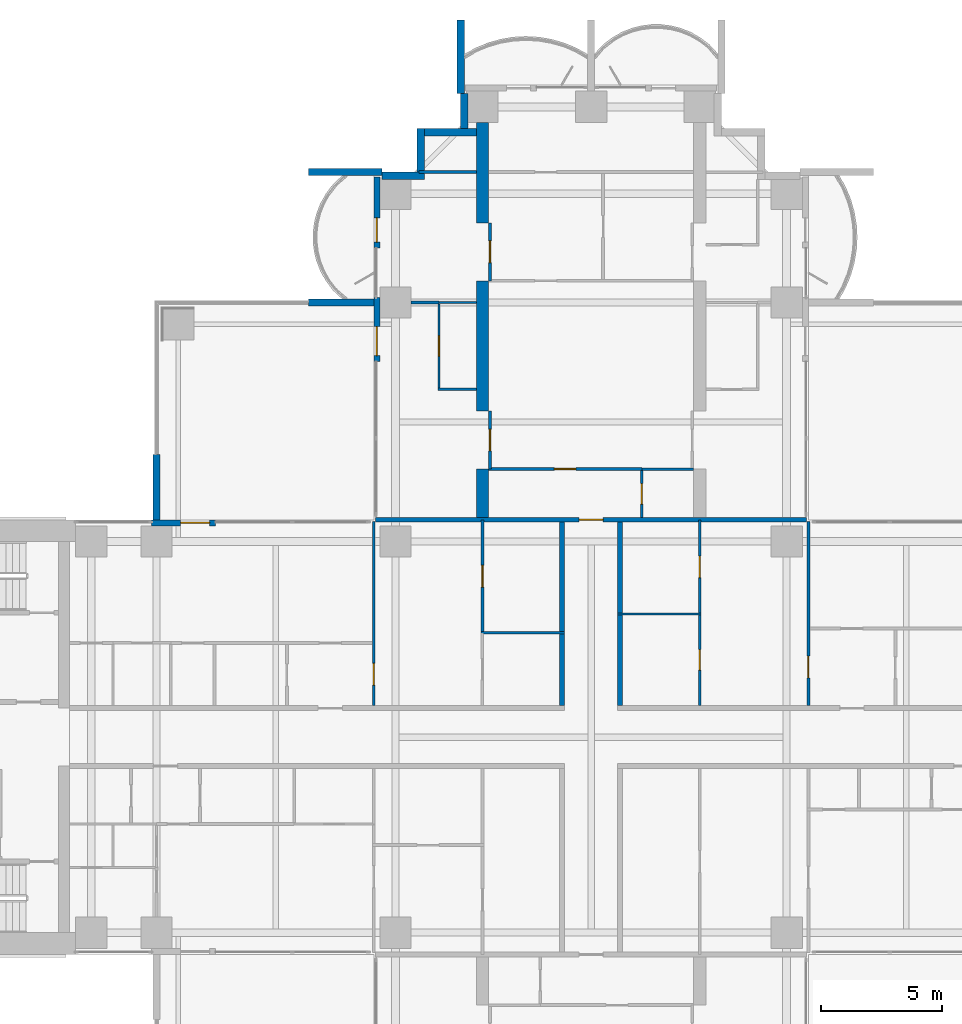
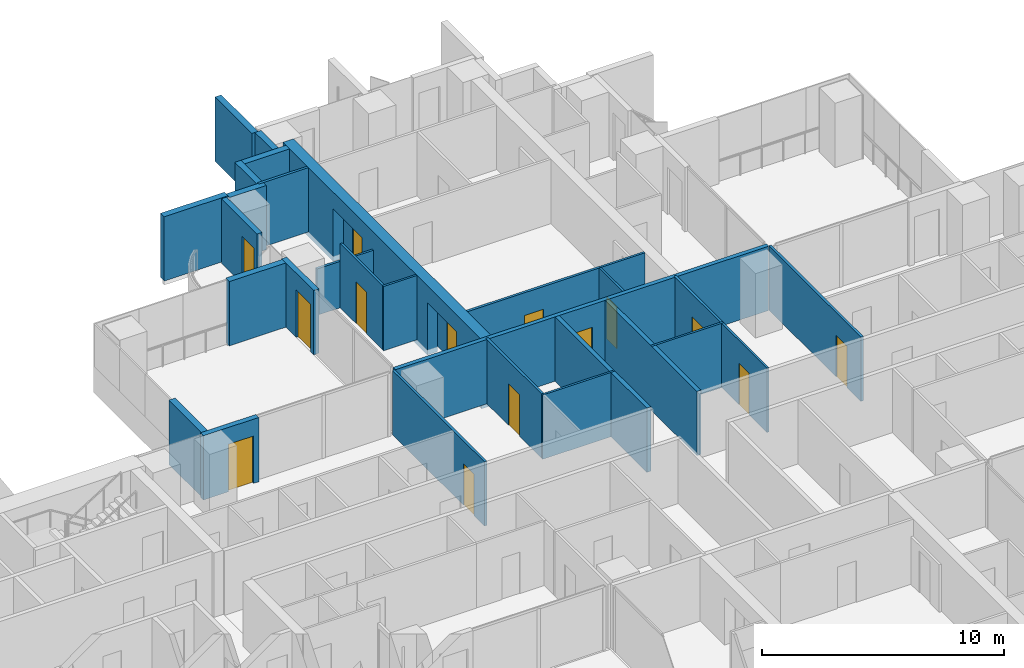
# One storey, part 15 of 23: 32 walls, 14 doors, 14 openings.
"""IFC4 building model written with IfcOpenShell, lengths in metres."""

from ifc_helpers import new_model, si_unit, direction, frame, frame_2d, origin, place, context, subcontext, project, spatial, polyline, rectangle, outline, extrude, material, layer, layer_set, material_profile, profile_set, type_object, element, fill, save


model = new_model("IFC4")

# Units and contexts
model_context = context("Model", 3, precision=1e-05, world=origin(), true_north=direction((0.0, 1.0)))
body_context = subcontext(model_context, "Body", "Model", "MODEL_VIEW")
ifc_project = project(units=[si_unit("LENGTHUNIT", "METRE"), si_unit("AREAUNIT", "SQUARE_METRE"), si_unit("VOLUMEUNIT", "CUBIC_METRE"), si_unit("PLANEANGLEUNIT", "RADIAN"), si_unit("MASSUNIT", "GRAM", prefix="KILO")], contexts=[model_context])

# Site, building, storey
site_placement = place(None, origin())
site = spatial("IfcSite", under=ifc_project, at=site_placement, CompositionType="ELEMENT")
building_placement = place(site_placement, origin())
building = spatial("IfcBuilding", under=site, at=building_placement, Name="Perihelion Cross Residences", CompositionType="ELEMENT")
storey_placement = place(building_placement, frame((0.0, 0.0, 61.0)))
storey = spatial("IfcBuildingStorey", under=building, at=storey_placement, Name="L12", CompositionType="ELEMENT", Elevation=61.0)

# Walls
ifc_material_1 = material(Name="Plasterboard partition")
ifc_layer_1 = layer(ifc_material_1, 0.199951171875)
ifc_layer_set_1 = layer_set([ifc_layer_1], Name="Apartment separation wall 200")
wall_type_1 = type_object("IfcWallType", Name="Apartment separation wall 200", PredefinedType="PARTITIONING", material=ifc_layer_set_1)
for number, where, z_axis, x_axis, name in (
    (1, (1.199951171875, 8.89990234375, 0.0), (0.0, 0.0, 1.0), (0.0, -1.0, 0.0), "Partition L12 W002"),
    (2, (-1.199951171875, 1.300048828125, 0.0), (0.0, 0.0, 1.0), (0.0, 1.0, 0.0), "Partition L12 W006"),
):
    element("IfcWall", number, at=place(storey_placement, frame(where, z_axis=z_axis, x_axis=x_axis)), inside=storey, type_object=wall_type_1, Name=name, PredefinedType="PARTITIONING", context=body_context, shape_type="SweptSolid", body=[
        extrude(rectangle(XDim=7.599853515625, YDim=0.199951171875, at=frame_2d((3.7998046875, 0.0))), origin(), (0.0, 0.0, 1.0), 3.25),
    ])

# Wall, opening, door
wall_1_placement = place(storey_placement, frame((-8.919921875, 9.0, 0.0), z_axis=(0.0, 0.0, 1.0), x_axis=(1.0, 0.0, 0.0)))
wall_1 = element("IfcWall", 3, at=wall_1_placement, inside=storey, type_object=wall_type_1, Name="Partition L12 W009", PredefinedType="PARTITIONING", context=body_context, shape_type="SweptSolid", body=[
    extrude(rectangle(XDim=17.83984375, YDim=0.199951171875, at=frame_2d((8.919921875, 0.0))), origin(), (0.0, 0.0, 1.0), 3.25),
])
opening_1_placement = place(wall_1_placement, frame((8.419921875, 0.0, 0.0)))
opening_1 = element("IfcOpeningElement", 4, at=opening_1_placement, cuts=wall_1, Name="Opening L12.A36", PredefinedType="OPENING", context=body_context, shape_type="SweptSolid", body=[
    extrude(rectangle(XDim=1.0, YDim=2.10009765625, at=frame_2d((0.5, 1.050048828125))), frame((0.0, 0.10986328125, 0.0), z_axis=(0.0, -1.0, 0.0), x_axis=(1.0, 0.0, 0.0)), (0.0, 0.0, 1.0), 0.219970703125),
])
ifc_material_2 = material(Name="Timber door leaf", Category="wood")
door_type_1 = type_object("IfcDoorType", Name="Flat entrance door 1000 x 2100", OperationType="SINGLE_SWING_LEFT", PredefinedType="DOOR", material=ifc_material_2)
door_1_placement = place(opening_1_placement, origin())
door_1 = element("IfcDoor", 5, at=door_1_placement, inside=storey, type_object=door_type_1, Name="Door L12.A36", OperationType="SINGLE_SWING_RIGHT", OverallHeight=2.10009765625, OverallWidth=1.0, PredefinedType="DOOR", context=body_context, shape_type="SweptSolid", body=[
    extrude(rectangle(XDim=1.0, YDim=2.10009765625, at=frame_2d((0.5, 1.050048828125))), frame((0.0, 0.02490234375, 0.0), z_axis=(0.0, -1.0, 0.0), x_axis=(1.0, 0.0, 0.0)), (0.0, 0.0, 1.0), 0.050048828125),
])
fill(opening_1, door_1)

ifc_material_3 = material(Name="Concrete C30/37, bronze-clad", Category="concrete")
ifc_layer_2 = layer(ifc_material_3, 0.25)
ifc_layer_set_2 = layer_set([ifc_layer_2], Name="Bronze-clad pier wall 250")
wall_type_2 = type_object("IfcWallType", Name="Bronze-clad pier wall 250", PredefinedType="SOLIDWALL", material=ifc_layer_set_2)
wall_2_placement = place(storey_placement, frame((-8.875, 23.199951171875, 0.0), z_axis=(0.0, 0.0, 1.0), x_axis=(0.0, -1.0, 0.0)))
wall_2 = element("IfcWall", 6, at=wall_2_placement, inside=storey, type_object=wall_type_2, Name="Wall FW1 L12 north side west bay 1 pier", PredefinedType="SOLIDWALL", context=body_context, shape_type="SweptSolid", body=[
    extrude(rectangle(XDim=2.949951171875, YDim=0.25, at=frame_2d((1.47509765625, 0.0))), origin(), (0.0, 0.0, 1.0), 3.25),
])
opening_2_placement = place(wall_2_placement, frame((1.699951171875, 0.0, 0.0)))
opening_2 = element("IfcOpeningElement", 7, at=opening_2_placement, cuts=wall_2, Name="Opening L12.E06", PredefinedType="OPENING", context=body_context, shape_type="SweptSolid", body=[
    extrude(rectangle(XDim=1.0, YDim=2.39990234375, at=frame_2d((0.5, 1.199951171875))), frame((0.0, 0.135009765625, 0.0), z_axis=(0.0, -1.0, 0.0), x_axis=(1.0, 0.0, 0.0)), (0.0, 0.0, 1.0), 0.27001953125),
])
ifc_material_4 = material(Name="Bronze anodised aluminium, glazed", Category="aluminium")
door_type_2 = type_object("IfcDoorType", Name="Balcony door 1000 x 2400", OperationType="NOTDEFINED", PredefinedType="DOOR", material=ifc_material_4)
door_2_placement = place(opening_2_placement, origin())
door_2 = element("IfcDoor", 8, at=door_2_placement, inside=storey, type_object=door_type_2, Name="Door L12.E06 north side west bay 1", OperationType="SINGLE_SWING_LEFT", OverallHeight=2.39990234375, OverallWidth=1.0, PredefinedType="DOOR", context=body_context, shape_type="SweptSolid", body=[
    extrude(rectangle(XDim=1.0, YDim=2.39990234375, at=frame_2d((0.5, 1.199951171875))), frame((0.0, 0.02490234375, 0.0), z_axis=(0.0, -1.0, 0.0), x_axis=(1.0, 0.0, 0.0)), (0.0, 0.0, 1.0), 0.050048828125),
])
fill(opening_2, door_2)

wall_3_placement = place(storey_placement, frame((-8.875, 18.199951171875, 0.0), z_axis=(0.0, 0.0, 1.0), x_axis=(0.0, -1.0, 0.0)))
wall_3 = element("IfcWall", 9, at=wall_3_placement, inside=storey, type_object=wall_type_2, Name="Wall FW1 L12 north side west bay 2 pier", PredefinedType="SOLIDWALL", context=body_context, shape_type="SweptSolid", body=[
    extrude(rectangle(XDim=2.64990234375, YDim=0.25, at=frame_2d((1.324951171875, 0.0))), origin(), (0.0, 0.0, 1.0), 3.25),
])
opening_3_placement = place(wall_3_placement, frame((1.199951171875, 0.0, 0.0)))
opening_3 = element("IfcOpeningElement", 10, at=opening_3_placement, cuts=wall_3, Name="Opening L12.E07", PredefinedType="OPENING", context=body_context, shape_type="SweptSolid", body=[
    extrude(rectangle(XDim=1.199951171875, YDim=2.39990234375, at=frame_2d((0.60009765625, 1.199951171875))), frame((0.0, 0.135009765625, 0.0), z_axis=(0.0, -1.0, 0.0), x_axis=(1.0, 0.0, 0.0)), (0.0, 0.0, 1.0), 0.27001953125),
])
ifc_material_5 = material(Name="Bronze anodised aluminium, glazed", Category="aluminium")
door_type_3 = type_object("IfcDoorType", Name="Balcony door 1200 x 2400", OperationType="NOTDEFINED", PredefinedType="DOOR", material=ifc_material_5)
door_3_placement = place(opening_3_placement, origin())
door_3 = element("IfcDoor", 11, at=door_3_placement, inside=storey, type_object=door_type_3, Name="Door L12.E07 north side west bay 2", OperationType="SINGLE_SWING_RIGHT", OverallHeight=2.39990234375, OverallWidth=1.199951171875, PredefinedType="DOOR", context=body_context, shape_type="SweptSolid", body=[
    extrude(rectangle(XDim=1.199951171875, YDim=2.39990234375, at=frame_2d((0.60009765625, 1.199951171875))), frame((0.0, 0.02490234375, 0.0), z_axis=(0.0, -1.0, 0.0), x_axis=(1.0, 0.0, 0.0)), (0.0, 0.0, 1.0), 0.050048828125),
])
fill(opening_3, door_3)

wall_4_placement = place(storey_placement, frame((-15.550048828125, 8.875, 0.0), z_axis=(0.0, 0.0, 1.0), x_axis=(-1.0, 0.0, 0.0)))
wall_4 = element("IfcWall", 12, at=wall_4_placement, inside=storey, type_object=wall_type_2, Name="Wall FW1 L12 west side north bay 1 pier", PredefinedType="SOLIDWALL", context=body_context, shape_type="SweptSolid", body=[
    extrude(rectangle(XDim=2.64990234375, YDim=0.25, at=frame_2d((1.324951171875, 0.0))), origin(), (0.0, 0.0, 1.0), 3.25),
])
opening_4_placement = place(wall_4_placement, frame((0.25, 0.0, 0.0)))
opening_4 = element("IfcOpeningElement", 13, at=opening_4_placement, cuts=wall_4, Name="Opening L12.E08", PredefinedType="OPENING", context=body_context, shape_type="SweptSolid", body=[
    extrude(rectangle(XDim=1.199951171875, YDim=2.39990234375, at=frame_2d((0.60009765625, 1.199951171875))), frame((0.0, 0.135009765625, 0.0), z_axis=(0.0, -1.0, 0.0), x_axis=(1.0, 0.0, 0.0)), (0.0, 0.0, 1.0), 0.27001953125),
])
door_4_placement = place(opening_4_placement, origin())
door_4 = element("IfcDoor", 14, at=door_4_placement, inside=storey, type_object=door_type_3, Name="Door L12.E08 west side north bay 1", OperationType="SINGLE_SWING_LEFT", OverallHeight=2.39990234375, OverallWidth=1.199951171875, PredefinedType="DOOR", context=body_context, shape_type="SweptSolid", body=[
    extrude(rectangle(XDim=1.199951171875, YDim=2.39990234375, at=frame_2d((0.60009765625, 1.199951171875))), frame((0.0, 0.02490234375, 0.0), z_axis=(0.0, -1.0, 0.0), x_axis=(1.0, 0.0, 0.0)), (0.0, 0.0, 1.0), 0.050048828125),
])
fill(opening_4, door_4)

# Walls
ifc_material_6 = material(Name="Concrete C30/37, bronze-clad", Category="concrete")
ifc_layer_3 = layer(ifc_material_6, 0.300048828125)
ifc_layer_set_3 = layer_set([ifc_layer_3], Name="Bronze-clad serration wall 300")
wall_type_3 = type_object("IfcWallType", Name="Bronze-clad serration wall 300", PredefinedType="SOLIDWALL", material=ifc_layer_set_3)
wall_5_placement = place(storey_placement, frame((-5.25, 26.64990234375, 0.0), z_axis=(0.0, 0.0, 1.0), x_axis=(0.0, -1.0, 0.0)))
element("IfcWall", 15, at=wall_5_placement, inside=storey, type_object=wall_type_3, Name="Wall SR1 L12 north corner north-west 1", PredefinedType="SOLIDWALL", context=body_context, shape_type="SweptSolid", body=[
    extrude(rectangle(XDim=1.449951171875, YDim=0.300048828125, at=frame_2d((0.72509765625, 0.0))), origin(), (0.0, 0.0, 1.0), 3.25),
])
wall_6_placement = place(storey_placement, frame((-4.75, 25.050048828125, 0.0), z_axis=(0.0, 0.0, 1.0), x_axis=(-1.0, 0.0, 0.0)))
element("IfcWall", 16, at=wall_6_placement, inside=storey, type_object=wall_type_3, Name="Wall SR1 L12 north corner north-west 2", PredefinedType="SOLIDWALL", context=body_context, shape_type="SweptSolid", body=[
    extrude(rectangle(XDim=2.14990234375, YDim=0.300048828125, at=frame_2d((1.074951171875, 0.0))), origin(), (0.0, 0.0, 1.0), 3.25),
])
wall_7_placement = place(storey_placement, frame((-7.050048828125, 25.199951171875, 0.0), z_axis=(0.0, 0.0, 1.0), x_axis=(0.0, -1.0, 0.0)))
element("IfcWall", 17, at=wall_7_placement, inside=storey, type_object=wall_type_3, Name="Wall SR1 L12 north corner north-west 3", PredefinedType="SOLIDWALL", context=body_context, shape_type="SweptSolid", body=[
    extrude(rectangle(XDim=1.800048828125, YDim=0.300048828125, at=frame_2d((0.89990234375, 0.0))), origin(), (0.0, 0.0, 1.0), 3.25),
])
wall_8_placement = place(storey_placement, frame((-6.89990234375, 23.25, 0.0), z_axis=(0.0, 0.0, 1.0), x_axis=(-1.0, 0.0, 0.0)))
element("IfcWall", 18, at=wall_8_placement, inside=storey, type_object=wall_type_3, Name="Wall SR1 L12 north corner north-west 4", PredefinedType="SOLIDWALL", context=body_context, shape_type="SweptSolid", body=[
    extrude(rectangle(XDim=1.75, YDim=0.300048828125, at=frame_2d((0.875, 0.0))), origin(), (0.0, 0.0, 1.0), 3.25),
])

# Wall, opening, door
ifc_material_7 = material(Name="Plasterboard partition")
ifc_layer_4 = layer(ifc_material_7, 0.1201171875)
ifc_layer_set_4 = layer_set([ifc_layer_4], Name="Infill panel 120")
wall_type_4 = type_object("IfcWallType", Name="Infill panel 120", PredefinedType="PARTITIONING", material=ifc_layer_set_4)
wall_9_placement = place(storey_placement, frame((-4.18994140625, 11.10009765625, 0.0), z_axis=(0.0, 0.0, 1.0), x_axis=(0.0, 1.0, 0.0)))
wall_9 = element("IfcWall", 19, at=wall_9_placement, inside=storey, type_object=wall_type_4, Name="Partition L12 WI03", PredefinedType="PARTITIONING", context=body_context, shape_type="SweptSolid", body=[
    extrude(rectangle(XDim=2.39990234375, YDim=0.1201171875, at=frame_2d((1.199951171875, 0.0))), origin(), (0.0, 0.0, 1.0), 2.39990234375),
])
opening_5_placement = place(wall_9_placement, frame((0.75, 0.0, 0.0)))
opening_5 = element("IfcOpeningElement", 20, at=opening_5_placement, cuts=wall_9, Name="Opening L12.A59", PredefinedType="OPENING", context=body_context, shape_type="SweptSolid", body=[
    extrude(rectangle(XDim=0.89990234375, YDim=2.10009765625, at=frame_2d((0.449951171875, 1.050048828125))), frame((0.0, 0.070068359375, 0.0), z_axis=(0.0, -1.0, 0.0), x_axis=(1.0, 0.0, 0.0)), (0.0, 0.0, 1.0), 0.14013671875),
])
ifc_material_8 = material(Name="Timber door leaf", Category="wood")
door_type_4 = type_object("IfcDoorType", Name="Interior room door 900 x 2100", OperationType="SINGLE_SWING_LEFT", PredefinedType="DOOR", material=ifc_material_8)
door_5_placement = place(opening_5_placement, origin())
door_5 = element("IfcDoor", 21, at=door_5_placement, inside=storey, type_object=door_type_4, Name="Door L12.A59", OperationType="SINGLE_SWING_RIGHT", OverallHeight=2.10009765625, OverallWidth=0.89990234375, PredefinedType="DOOR", context=body_context, shape_type="SweptSolid", body=[
    extrude(rectangle(XDim=0.89990234375, YDim=2.10009765625, at=frame_2d((0.449951171875, 1.050048828125))), frame((0.0, 0.02490234375, 0.0), z_axis=(0.0, -1.0, 0.0), x_axis=(1.0, 0.0, 0.0)), (0.0, 0.0, 1.0), 0.050048828125),
])
fill(opening_5, door_5)

wall_10_placement = place(storey_placement, frame((-4.18994140625, 18.89990234375, 0.0), z_axis=(0.0, 0.0, 1.0), x_axis=(0.0, 1.0, 0.0)))
wall_10 = element("IfcWall", 22, at=wall_10_placement, inside=storey, type_object=wall_type_4, Name="Partition L12 WI04", PredefinedType="PARTITIONING", context=body_context, shape_type="SweptSolid", body=[
    extrude(rectangle(XDim=2.400146484375, YDim=0.1201171875, at=frame_2d((1.2001953125, 0.0))), origin(), (0.0, 0.0, 1.0), 2.39990234375),
])
opening_6_placement = place(wall_10_placement, frame((0.75, 0.0, 0.0)))
opening_6 = element("IfcOpeningElement", 23, at=opening_6_placement, cuts=wall_10, Name="Opening L12.A60", PredefinedType="OPENING", context=body_context, shape_type="SweptSolid", body=[
    extrude(rectangle(XDim=0.89990234375, YDim=2.10009765625, at=frame_2d((0.449951171875, 1.050048828125))), frame((0.0, 0.070068359375, 0.0), z_axis=(0.0, -1.0, 0.0), x_axis=(1.0, 0.0, 0.0)), (0.0, 0.0, 1.0), 0.14013671875),
])
door_6_placement = place(opening_6_placement, origin())
door_6 = element("IfcDoor", 24, at=door_6_placement, inside=storey, type_object=door_type_4, Name="Door L12.A60", OperationType="SINGLE_SWING_LEFT", OverallHeight=2.10009765625, OverallWidth=0.89990234375, PredefinedType="DOOR", context=body_context, shape_type="SweptSolid", body=[
    extrude(rectangle(XDim=0.89990234375, YDim=2.10009765625, at=frame_2d((0.449951171875, 1.050048828125))), frame((0.0, 0.02490234375, 0.0), z_axis=(0.0, -1.0, 0.0), x_axis=(1.0, 0.0, 0.0)), (0.0, 0.0, 1.0), 0.050048828125),
])
fill(opening_6, door_6)

ifc_material_9 = material(Name="Plasterboard partition")
ifc_layer_5 = layer(ifc_material_9, 0.1201171875)
ifc_layer_set_5 = layer_set([ifc_layer_5], Name="Partition wall 120")
wall_type_5 = type_object("IfcWallType", Name="Partition wall 120", PredefinedType="PARTITIONING", material=ifc_layer_set_5)
wall_11_placement = place(storey_placement, frame((9.0, 1.300048828125, 0.0), z_axis=(0.0, 0.0, 1.0), x_axis=(0.0, 1.0, 0.0)))
wall_11 = element("IfcWall", 25, at=wall_11_placement, inside=storey, type_object=wall_type_5, Name="Partition L12 W013", PredefinedType="PARTITIONING", context=body_context, shape_type="SweptSolid", body=[
    extrude(rectangle(XDim=7.619873046875, YDim=0.1201171875, at=frame_2d((3.81005859375, 0.0))), origin(), (0.0, 0.0, 1.0), 3.25),
])
opening_7_placement = place(wall_11_placement, frame((1.14990234375, 0.0, 0.0)))
opening_7 = element("IfcOpeningElement", 26, at=opening_7_placement, cuts=wall_11, Name="Opening L12.A04", PredefinedType="OPENING", context=body_context, shape_type="SweptSolid", body=[
    extrude(rectangle(XDim=0.89990234375, YDim=2.10009765625, at=frame_2d((0.449951171875, 1.050048828125))), frame((0.0, 0.070068359375, 0.0), z_axis=(0.0, -1.0, 0.0), x_axis=(1.0, 0.0, 0.0)), (0.0, 0.0, 1.0), 0.14013671875),
])
door_7_placement = place(opening_7_placement, origin())
door_7 = element("IfcDoor", 27, at=door_7_placement, inside=storey, type_object=door_type_4, Name="Door L12.A04", OperationType="SINGLE_SWING_RIGHT", OverallHeight=2.10009765625, OverallWidth=0.89990234375, PredefinedType="DOOR", context=body_context, shape_type="SweptSolid", body=[
    extrude(rectangle(XDim=0.89990234375, YDim=2.10009765625, at=frame_2d((0.449951171875, 1.050048828125))), frame((0.0, 0.02490234375, 0.0), z_axis=(0.0, -1.0, 0.0), x_axis=(1.0, 0.0, 0.0)), (0.0, 0.0, 1.0), 0.050048828125),
])
fill(opening_7, door_7)

wall_12_placement = place(storey_placement, frame((4.5, 5.10009765625, 0.0), z_axis=(0.0, 0.0, 1.0), x_axis=(0.0, 1.0, 0.0)))
wall_12 = element("IfcWall", 28, at=wall_12_placement, inside=storey, type_object=wall_type_5, Name="Partition L12 W020", PredefinedType="PARTITIONING", context=body_context, shape_type="SweptSolid", body=[
    extrude(rectangle(XDim=3.89990234375, YDim=0.1201171875, at=frame_2d((1.949951171875, 0.0))), origin(), (0.0, 0.0, 1.0), 3.25),
])
opening_8_placement = place(wall_12_placement, frame((1.5, 0.0, 0.0)))
opening_8 = element("IfcOpeningElement", 29, at=opening_8_placement, cuts=wall_12, Name="Opening L12.A07", PredefinedType="OPENING", context=body_context, shape_type="SweptSolid", body=[
    extrude(rectangle(XDim=0.89990234375, YDim=2.10009765625, at=frame_2d((0.449951171875, 1.050048828125))), frame((0.0, 0.070068359375, 0.0), z_axis=(0.0, -1.0, 0.0), x_axis=(1.0, 0.0, 0.0)), (0.0, 0.0, 1.0), 0.14013671875),
])
door_8_placement = place(opening_8_placement, origin())
door_8 = element("IfcDoor", 30, at=door_8_placement, inside=storey, type_object=door_type_4, Name="Door L12.A07", OperationType="SINGLE_SWING_RIGHT", OverallHeight=2.10009765625, OverallWidth=0.89990234375, PredefinedType="DOOR", context=body_context, shape_type="SweptSolid", body=[
    extrude(rectangle(XDim=0.89990234375, YDim=2.10009765625, at=frame_2d((0.449951171875, 1.050048828125))), frame((0.0, 0.02490234375, 0.0), z_axis=(0.0, -1.0, 0.0), x_axis=(1.0, 0.0, 0.0)), (0.0, 0.0, 1.0), 0.050048828125),
])
fill(opening_8, door_8)

wall_13_placement = place(storey_placement, frame((-9.0, 8.919921875, 0.0), z_axis=(0.0, 0.0, 1.0), x_axis=(0.0, -1.0, 0.0)))
wall_13 = element("IfcWall", 31, at=wall_13_placement, inside=storey, type_object=wall_type_5, Name="Partition L12 W037", PredefinedType="PARTITIONING", context=body_context, shape_type="SweptSolid", body=[
    extrude(rectangle(XDim=7.619873046875, YDim=0.1201171875, at=frame_2d((3.81005859375, 0.0))), origin(), (0.0, 0.0, 1.0), 3.25),
])
opening_9_placement = place(wall_13_placement, frame((5.8701171875, 0.0, 0.0)))
opening_9 = element("IfcOpeningElement", 32, at=opening_9_placement, cuts=wall_13, Name="Opening L12.A22", PredefinedType="OPENING", context=body_context, shape_type="SweptSolid", body=[
    extrude(rectangle(XDim=0.89990234375, YDim=2.10009765625, at=frame_2d((0.449951171875, 1.050048828125))), frame((0.0, 0.070068359375, 0.0), z_axis=(0.0, -1.0, 0.0), x_axis=(1.0, 0.0, 0.0)), (0.0, 0.0, 1.0), 0.14013671875),
])
door_9_placement = place(opening_9_placement, origin())
door_9 = element("IfcDoor", 33, at=door_9_placement, inside=storey, type_object=door_type_4, Name="Door L12.A22", OperationType="SINGLE_SWING_RIGHT", OverallHeight=2.10009765625, OverallWidth=0.89990234375, PredefinedType="DOOR", context=body_context, shape_type="SweptSolid", body=[
    extrude(rectangle(XDim=0.89990234375, YDim=2.10009765625, at=frame_2d((0.449951171875, 1.050048828125))), frame((0.0, 0.02490234375, 0.0), z_axis=(0.0, -1.0, 0.0), x_axis=(1.0, 0.0, 0.0)), (0.0, 0.0, 1.0), 0.050048828125),
])
fill(opening_9, door_9)

wall_14_placement = place(storey_placement, frame((-4.5, 9.0, 0.0), z_axis=(0.0, 0.0, 1.0), x_axis=(0.0, -1.0, 0.0)))
wall_14 = element("IfcWall", 34, at=wall_14_placement, inside=storey, type_object=wall_type_5, Name="Partition L12 W044", PredefinedType="PARTITIONING", context=body_context, shape_type="SweptSolid", body=[
    extrude(rectangle(XDim=4.679931640625, YDim=0.1201171875, at=frame_2d((2.33984375, 0.0))), origin(), (0.0, 0.0, 1.0), 3.25),
])
opening_10_placement = place(wall_14_placement, frame((1.889892578125, 0.0, 0.0)))
opening_10 = element("IfcOpeningElement", 35, at=opening_10_placement, cuts=wall_14, Name="Opening L12.A23", PredefinedType="OPENING", context=body_context, shape_type="SweptSolid", body=[
    extrude(rectangle(XDim=0.89990234375, YDim=2.10009765625, at=frame_2d((0.449951171875, 1.050048828125))), frame((0.0, 0.070068359375, 0.0), z_axis=(0.0, -1.0, 0.0), x_axis=(1.0, 0.0, 0.0)), (0.0, 0.0, 1.0), 0.14013671875),
])
door_10_placement = place(opening_10_placement, origin())
door_10 = element("IfcDoor", 36, at=door_10_placement, inside=storey, type_object=door_type_4, Name="Door L12.A23", OperationType="SINGLE_SWING_RIGHT", OverallHeight=2.10009765625, OverallWidth=0.89990234375, PredefinedType="DOOR", context=body_context, shape_type="SweptSolid", body=[
    extrude(rectangle(XDim=0.89990234375, YDim=2.10009765625, at=frame_2d((0.449951171875, 1.050048828125))), frame((0.0, 0.02490234375, 0.0), z_axis=(0.0, -1.0, 0.0), x_axis=(1.0, 0.0, 0.0)), (0.0, 0.0, 1.0), 0.050048828125),
])
fill(opening_10, door_10)

wall_15_placement = place(storey_placement, frame((-4.25, 11.10009765625, 0.0), z_axis=(0.0, 0.0, 1.0), x_axis=(1.0, 0.0, 0.0)))
wall_15 = element("IfcWall", 37, at=wall_15_placement, inside=storey, type_object=wall_type_5, Name="Partition L12 W061", PredefinedType="PARTITIONING", context=body_context, shape_type="SweptSolid", body=[
    extrude(rectangle(XDim=6.35009765625, YDim=0.1201171875, at=frame_2d((3.175048828125, 0.0))), origin(), (0.0, 0.0, 1.0), 3.25),
])
opening_11_placement = place(wall_15_placement, frame((2.72509765625, 0.0, 0.0)))
opening_11 = element("IfcOpeningElement", 38, at=opening_11_placement, cuts=wall_15, Name="Opening L12.A38", PredefinedType="OPENING", context=body_context, shape_type="SweptSolid", body=[
    extrude(rectangle(XDim=0.89990234375, YDim=2.10009765625, at=frame_2d((0.449951171875, 1.050048828125))), frame((0.0, 0.070068359375, 0.0), z_axis=(0.0, -1.0, 0.0), x_axis=(1.0, 0.0, 0.0)), (0.0, 0.0, 1.0), 0.14013671875),
])
door_11_placement = place(opening_11_placement, origin())
door_11 = element("IfcDoor", 39, at=door_11_placement, inside=storey, type_object=door_type_4, Name="Door L12.A38", OperationType="SINGLE_SWING_LEFT", OverallHeight=2.10009765625, OverallWidth=0.89990234375, PredefinedType="DOOR", context=body_context, shape_type="SweptSolid", body=[
    extrude(rectangle(XDim=0.89990234375, YDim=2.10009765625, at=frame_2d((0.449951171875, 1.050048828125))), frame((0.0, 0.02490234375, 0.0), z_axis=(0.0, -1.0, 0.0), x_axis=(1.0, 0.0, 0.0)), (0.0, 0.0, 1.0), 0.050048828125),
])
fill(opening_11, door_11)

# Walls
wall_16_placement = place(storey_placement, frame((-7.449951171875, 18.0, 0.0), z_axis=(0.0, 0.0, 1.0), x_axis=(1.0, 0.0, 0.0)))
element("IfcWall", 40, at=wall_16_placement, inside=storey, type_object=wall_type_5, Name="Partition L12 W075", PredefinedType="PARTITIONING", context=body_context, shape_type="SweptSolid", body=[
    extrude(rectangle(XDim=1.14990234375, YDim=0.1201171875, at=frame_2d((0.574951171875, 0.0))), origin(), (0.0, 0.0, 1.0), 2.345947265625),
])
wall_17_placement = place(storey_placement, frame((-7.1201171875, 23.39990234375, 0.0), z_axis=(0.0, 0.0, 1.0), x_axis=(1.0, 0.0, 0.0)))
element("IfcWall", 41, at=wall_17_placement, inside=storey, type_object=wall_type_5, Name="Partition L12 W077", PredefinedType="PARTITIONING", context=body_context, shape_type="SweptSolid", body=[
    extrude(rectangle(XDim=2.3701171875, YDim=0.1201171875, at=frame_2d((1.18505859375, 0.0))), origin(), (0.0, 0.0, 1.0), 3.25),
])
ifc_material_10 = material(Name="Precast concrete C50/60", Category="concrete")
ifc_layer_6 = layer(ifc_material_10, 0.300048828125)
ifc_layer_set_6 = layer_set([ifc_layer_6], Name="Precast concrete C50/60 blade wall 300")
wall_type_6 = type_object("IfcWallType", Name="Precast concrete C50/60 blade wall 300", PredefinedType="SOLIDWALL", material=ifc_layer_set_6)
for number, where, z_axis, x_axis, name in (
    (42, (-18.0, 8.75, 0.0), (0.0, 0.0, 1.0), (0.0, 1.0, 0.0), "Wall BL1 L12 no. 2"),
    (43, (-8.75, 18.0, 0.0), (0.0, 0.0, 1.0), (-1.0, 0.0, 0.0), "Wall BL1 L12 no. 7"),
):
    element("IfcWall", number, at=place(storey_placement, frame(where, z_axis=z_axis, x_axis=x_axis)), inside=storey, type_object=wall_type_6, Name=name, PredefinedType="SOLIDWALL", context=body_context, shape_type="SweptSolid", body=[
        extrude(rectangle(XDim=2.949951171875, YDim=0.300048828125, at=frame_2d((1.47509765625, 0.0))), origin(), (0.0, 0.0, 1.0), 3.25),
    ])
for number, where, z_axis, x_axis, name in (
    (44, (-8.64990234375, 23.39990234375, 0.0), (0.0, 0.0, 1.0), (-1.0, 0.0, 0.0), "Wall BL1 L12 no. 8"),
    (45, (-5.39990234375, 26.64990234375, 0.0), (0.0, 0.0, 1.0), (0.0, 1.0, 0.0), "Wall BL1 L12 no. 4"),
):
    element("IfcWall", number, at=place(storey_placement, frame(where, z_axis=z_axis, x_axis=x_axis)), inside=storey, type_object=wall_type_6, Name=name, PredefinedType="SOLIDWALL", context=body_context, shape_type="SweptSolid", body=[
        extrude(rectangle(XDim=3.050048828125, YDim=0.300048828125, at=frame_2d((1.52490234375, 0.0))), origin(), (0.0, 0.0, 1.0), 3.25),
    ])
ifc_material_11 = material(Name="Concrete C60/75", Category="concrete")
ifc_material_profile = material_profile(ifc_material_11, outline(polyline([(0.0, 0.0), (2.10009765625, 0.0), (2.10009765625, 2.64990234375), (4.5, 2.64990234375), (4.5, 0.0), (9.89990234375, 0.0), (9.89990234375, 2.64990234375), (12.300048828125, 2.64990234375), (12.300048828125, 0.0), (16.449951171875, 0.0), (16.449951171875, 3.5), (0.0, 3.5), (0.0, 0.0)])), Name="Tip spine wall")
ifc_profile_set = profile_set([ifc_material_profile], Name="Concrete C60/75")
wall_type_7 = type_object("IfcWallType", Name="Tip spine wall 500 with 2 door openings 16450 long 3500 high concrete C60/75 hand B", PredefinedType="SHEAR", material=ifc_profile_set)
wall_18_placement = place(storey_placement, frame((-4.75, 9.0, -0.25), z_axis=(1.0, 0.0, 0.0), x_axis=(0.0, 1.0, 0.0)))
element("IfcWall", 46, at=wall_18_placement, inside=storey, type_object=wall_type_7, Name="Shear wall SW23 L12 north west", PredefinedType="SHEAR", context=body_context, shape_type="SweptSolid", body=[
    extrude(outline(polyline([(0.0, 0.0), (2.10009765625, 0.0), (2.10009765625, 2.64990234375), (4.5, 2.64990234375), (4.5, 0.0), (9.89990234375, 0.0), (9.89990234375, 2.64990234375), (12.300048828125, 2.64990234375), (12.300048828125, 0.0), (16.449951171875, 0.0), (16.449951171875, 3.5), (0.0, 3.5), (0.0, 0.0)])), origin(), (0.0, 0.0, 1.0), 0.5),
])

# Wall, opening, door
ifc_material_12 = material(Name="Plasterboard partition")
ifc_layer_7 = layer(ifc_material_12, 0.10009765625)
ifc_layer_set_7 = layer_set([ifc_layer_7], Name="Wet room wall 100")
wall_type_8 = type_object("IfcWallType", Name="Wet room wall 100", PredefinedType="PARTITIONING", material=ifc_layer_set_7)
wall_19_placement = place(storey_placement, frame((4.5, 1.300048828125, 0.0), z_axis=(0.0, 0.0, 1.0), x_axis=(0.0, 1.0, 0.0)))
wall_19 = element("IfcWall", 47, at=wall_19_placement, inside=storey, type_object=wall_type_8, Name="Partition L12 W019", PredefinedType="PARTITIONING", context=body_context, shape_type="SweptSolid", body=[
    extrude(rectangle(XDim=3.800048828125, YDim=0.10009765625, at=frame_2d((1.89990234375, 0.0))), origin(), (0.0, 0.0, 1.0), 3.25),
])
opening_12_placement = place(wall_19_placement, frame((1.47509765625, 0.0, 0.0)))
opening_12 = element("IfcOpeningElement", 48, at=opening_12_placement, cuts=wall_19, Name="Opening L12.A03", PredefinedType="OPENING", context=body_context, shape_type="SweptSolid", body=[
    extrude(rectangle(XDim=0.85009765625, YDim=2.10009765625, at=frame_2d((0.425048828125, 1.050048828125))), frame((0.0, 0.06005859375, 0.0), z_axis=(0.0, -1.0, 0.0), x_axis=(1.0, 0.0, 0.0)), (0.0, 0.0, 1.0), 0.1201171875),
])
ifc_material_13 = material(Name="Timber door leaf", Category="wood")
door_type_5 = type_object("IfcDoorType", Name="Interior bathroom door 850 x 2100", OperationType="SINGLE_SWING_LEFT", PredefinedType="DOOR", material=ifc_material_13)
door_12_placement = place(opening_12_placement, origin())
door_12 = element("IfcDoor", 49, at=door_12_placement, inside=storey, type_object=door_type_5, Name="Door L12.A03", OperationType="SINGLE_SWING_RIGHT", OverallHeight=2.10009765625, OverallWidth=0.85009765625, PredefinedType="DOOR", context=body_context, shape_type="SweptSolid", body=[
    extrude(rectangle(XDim=0.85009765625, YDim=2.10009765625, at=frame_2d((0.425048828125, 1.050048828125))), frame((0.0, 0.02490234375, 0.0), z_axis=(0.0, -1.0, 0.0), x_axis=(1.0, 0.0, 0.0)), (0.0, 0.0, 1.0), 0.050048828125),
])
fill(opening_12, door_12)

# Walls
for number, where, z_axis, x_axis, name in (
    (50, (1.10009765625, 5.10009765625, 0.0), (0.0, 0.0, 1.0), (1.0, 0.0, 0.0), "Partition L12 W021"),
    (51, (-4.56005859375, 4.320068359375, 0.0), (0.0, 0.0, 1.0), (1.0, 0.0, 0.0), "Partition L12 W045"),
):
    element("IfcWall", number, at=place(storey_placement, frame(where, z_axis=z_axis, x_axis=x_axis)), inside=storey, type_object=wall_type_8, Name=name, PredefinedType="PARTITIONING", context=body_context, shape_type="SweptSolid", body=[
        extrude(rectangle(XDim=3.4599609375, YDim=0.10009765625, at=frame_2d((1.72998046875, 0.0))), origin(), (0.0, 0.0, 1.0), 3.25),
    ])

# Wall, opening, door
wall_20_placement = place(storey_placement, frame((2.10009765625, 11.0400390625, 0.0), z_axis=(0.0, 0.0, 1.0), x_axis=(0.0, -1.0, 0.0)))
wall_20 = element("IfcWall", 52, at=wall_20_placement, inside=storey, type_object=wall_type_8, Name="Partition L12 W060", PredefinedType="PARTITIONING", context=body_context, shape_type="SweptSolid", body=[
    extrude(rectangle(XDim=1.93994140625, YDim=0.10009765625, at=frame_2d((0.969970703125, 0.0))), origin(), (0.0, 0.0, 1.0), 3.25),
])
opening_13_placement = place(wall_20_placement, frame((0.544921875, 0.0, 0.0)))
opening_13 = element("IfcOpeningElement", 53, at=opening_13_placement, cuts=wall_20, Name="Opening L12.A37", PredefinedType="OPENING", context=body_context, shape_type="SweptSolid", body=[
    extrude(rectangle(XDim=0.85009765625, YDim=2.10009765625, at=frame_2d((0.425048828125, 1.050048828125))), frame((0.0, 0.06005859375, 0.0), z_axis=(0.0, -1.0, 0.0), x_axis=(1.0, 0.0, 0.0)), (0.0, 0.0, 1.0), 0.1201171875),
])
door_13_placement = place(opening_13_placement, origin())
door_13 = element("IfcDoor", 54, at=door_13_placement, inside=storey, type_object=door_type_5, Name="Door L12.A37", OperationType="SINGLE_SWING_LEFT", OverallHeight=2.10009765625, OverallWidth=0.85009765625, PredefinedType="DOOR", context=body_context, shape_type="SweptSolid", body=[
    extrude(rectangle(XDim=0.85009765625, YDim=2.10009765625, at=frame_2d((0.425048828125, 1.050048828125))), frame((0.0, 0.02490234375, 0.0), z_axis=(0.0, -1.0, 0.0), x_axis=(1.0, 0.0, 0.0)), (0.0, 0.0, 1.0), 0.050048828125),
])
fill(opening_13, door_13)

# Wall
wall_21_placement = place(storey_placement, frame((2.10009765625, 11.10009765625, 0.0), z_axis=(0.0, 0.0, 1.0), x_axis=(1.0, 0.0, 0.0)))
element("IfcWall", 55, at=wall_21_placement, inside=storey, type_object=wall_type_8, Name="Partition L12 W062", PredefinedType="PARTITIONING", context=body_context, shape_type="SweptSolid", body=[
    extrude(rectangle(XDim=2.14990234375, YDim=0.10009765625, at=frame_2d((1.074951171875, 0.0))), origin(), (0.0, 0.0, 1.0), 3.25),
])

# Wall, opening, door
wall_22_placement = place(storey_placement, frame((-6.300048828125, 17.93994140625, 0.0), z_axis=(0.0, 0.0, 1.0), x_axis=(0.0, -1.0, 0.0)))
wall_22 = element("IfcWall", 56, at=wall_22_placement, inside=storey, type_object=wall_type_8, Name="Partition L12 W073", PredefinedType="PARTITIONING", context=body_context, shape_type="SweptSolid", body=[
    extrude(rectangle(XDim=3.489990234375, YDim=0.10009765625, at=frame_2d((1.7451171875, 0.0))), origin(), (0.0, 0.0, 1.0), 3.25),
])
opening_14_placement = place(wall_22_placement, frame((1.320068359375, 0.0, 0.0)))
opening_14 = element("IfcOpeningElement", 57, at=opening_14_placement, cuts=wall_22, Name="Opening L12.A44", PredefinedType="OPENING", context=body_context, shape_type="SweptSolid", body=[
    extrude(rectangle(XDim=0.85009765625, YDim=2.10009765625, at=frame_2d((0.425048828125, 1.050048828125))), frame((0.0, 0.06005859375, 0.0), z_axis=(0.0, -1.0, 0.0), x_axis=(1.0, 0.0, 0.0)), (0.0, 0.0, 1.0), 0.1201171875),
])
door_14_placement = place(opening_14_placement, origin())
door_14 = element("IfcDoor", 58, at=door_14_placement, inside=storey, type_object=door_type_5, Name="Door L12.A44", OperationType="SINGLE_SWING_LEFT", OverallHeight=2.10009765625, OverallWidth=0.85009765625, PredefinedType="DOOR", context=body_context, shape_type="SweptSolid", body=[
    extrude(rectangle(XDim=0.85009765625, YDim=2.10009765625, at=frame_2d((0.425048828125, 1.050048828125))), frame((0.0, 0.02490234375, 0.0), z_axis=(0.0, -1.0, 0.0), x_axis=(1.0, 0.0, 0.0)), (0.0, 0.0, 1.0), 0.050048828125),
])
fill(opening_14, door_14)

# Walls
wall_23_placement = place(storey_placement, frame((-6.35009765625, 14.39990234375, 0.0), z_axis=(0.0, 0.0, 1.0), x_axis=(1.0, 0.0, 0.0)))
element("IfcWall", 59, at=wall_23_placement, inside=storey, type_object=wall_type_8, Name="Partition L12 W074", PredefinedType="PARTITIONING", context=body_context, shape_type="SweptSolid", body=[
    extrude(rectangle(XDim=1.60009765625, YDim=0.10009765625, at=frame_2d((0.800048828125, 0.0))), origin(), (0.0, 0.0, 1.0), 3.25),
])
wall_24_placement = place(storey_placement, frame((-6.300048828125, 18.0, 0.0), z_axis=(0.0, 0.0, 1.0), x_axis=(1.0, 0.0, 0.0)))
element("IfcWall", 60, at=wall_24_placement, inside=storey, type_object=wall_type_8, Name="Partition L12 W076", PredefinedType="PARTITIONING", context=body_context, shape_type="SweptSolid", body=[
    extrude(rectangle(XDim=1.550048828125, YDim=0.10009765625, at=frame_2d((0.77490234375, 0.0))), origin(), (0.0, 0.0, 1.0), 2.345947265625),
])

save(model, "model.ifc")
